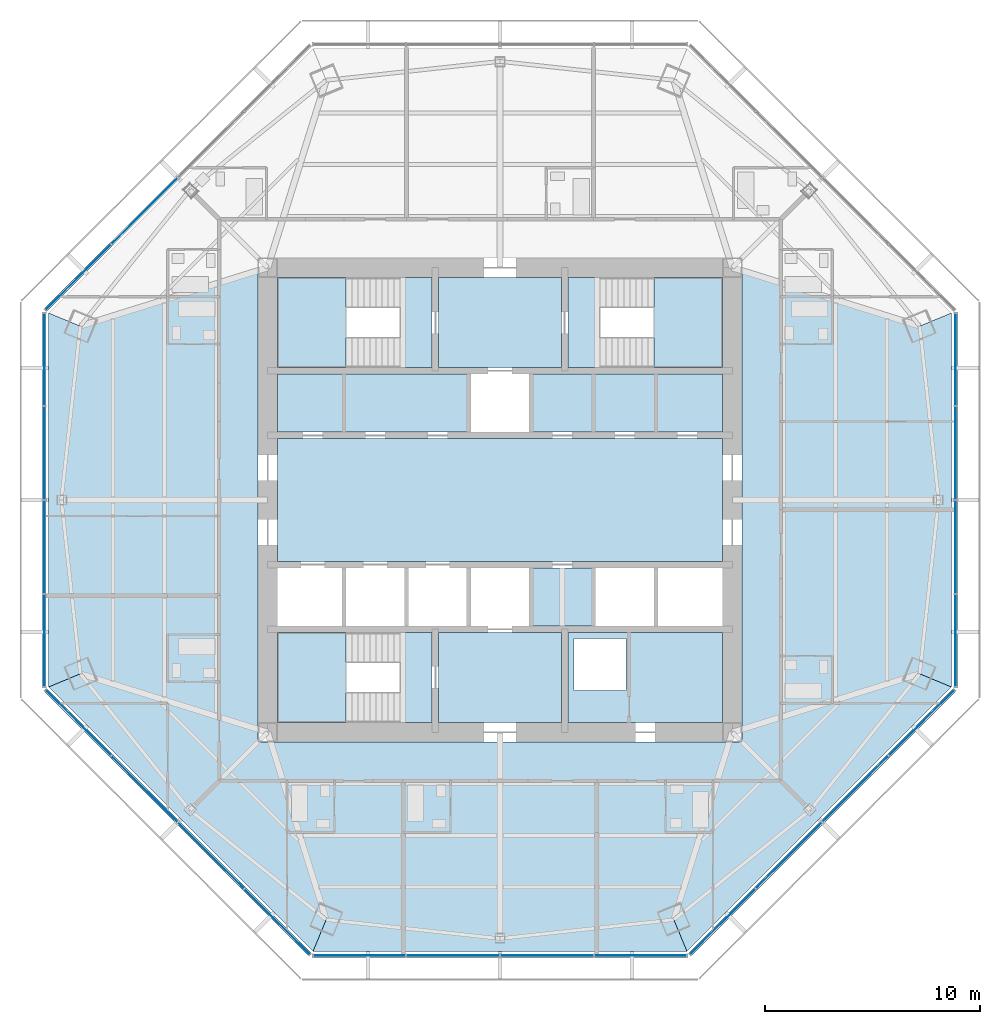
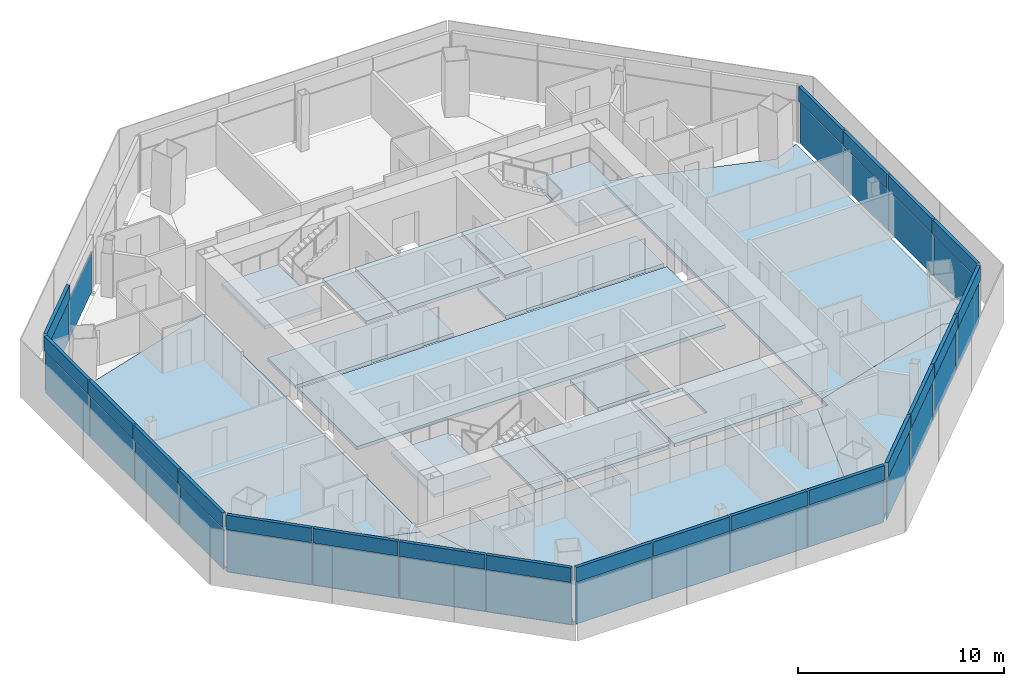
# One storey, part 7 of 14: 43 plates, 18 slabs, 9 elements without a shape of their own.
"""IFC4 building model written with IfcOpenShell, lengths in metres."""

from ifc_helpers import new_model, si_unit, direction, frame, origin, origin_2d, place, context, subcontext, project, spatial, polyline, rectangle, outline, extrude, source, transform, mapped, material, layer, layer_set, type_object, type_shapes, element, aggregate, save


model = new_model("IFC4")

# Units and contexts
model_context = context("Model", 3, precision=1e-05, world=origin(), true_north=direction((0.0, 1.0)))
body_context = subcontext(model_context, "Body", "Model", "MODEL_VIEW")
ifc_project = project(units=[si_unit("LENGTHUNIT", "METRE"), si_unit("AREAUNIT", "SQUARE_METRE"), si_unit("VOLUMEUNIT", "CUBIC_METRE"), si_unit("PLANEANGLEUNIT", "RADIAN"), si_unit("MASSUNIT", "GRAM", prefix="KILO")], contexts=[model_context])

# Site, building, storey
site_placement = place(None, origin())
site = spatial("IfcSite", under=ifc_project, at=site_placement, CompositionType="ELEMENT")
building_placement = place(site_placement, origin())
building = spatial("IfcBuilding", under=site, at=building_placement, Name="Mashrafa Tower", CompositionType="ELEMENT")
storey_placement = place(building_placement, frame((0.0, 0.0, 241.39990234375)))
storey = spatial("IfcBuildingStorey", under=building, at=storey_placement, Name="L57", CompositionType="ELEMENT", Elevation=241.39990234375)

# Slabs
ifc_material_1 = material(Name="Concrete C35/45", Category="concrete")
ifc_layer_1 = layer(ifc_material_1, 0.199951171875)
ifc_layer_set_1 = layer_set([ifc_layer_1], Name="Floor slab 200")
slab_type_1 = type_object("IfcSlabType", Name="Floor slab 200", PredefinedType="FLOOR", material=ifc_layer_set_1)
slab_1_placement = place(storey_placement, frame((0.0, 0.0, -0.199951171875)))
element("IfcSlab", 1, at=slab_1_placement, inside=storey, type_object=slab_type_1, Name="Floor slab L57 east bay", PredefinedType="FLOOR", context=body_context, shape_type="SweptSolid", body=[
    extrude(outline(polyline([(20.98583984375, 8.692626953125), (20.98583984375, -8.692626953125), (20.98583984375, -8.692626953125), (19.51318359375, -8.082763671875), (11.25, -10.65966796875), (11.25, 10.65966796875), (19.51318359375, 8.082763671875), (20.98583984375, 8.692626953125), (20.98583984375, 8.692626953125)])), origin(), (0.0, 0.0, 1.0), 0.199951171875),
])
slab_2_placement = place(storey_placement, frame((0.0, 0.0, -0.199951171875)))
element("IfcSlab", 2, at=slab_2_placement, inside=storey, type_object=slab_type_1, Name="Floor slab L57 west bay", PredefinedType="FLOOR", context=body_context, shape_type="SweptSolid", body=[
    extrude(outline(polyline([(-20.98583984375, -8.692626953125), (-20.98583984375, 8.692626953125), (-20.98583984375, 8.692626953125), (-19.51318359375, 8.082763671875), (-11.25, 10.65966796875), (-11.25, -10.65966796875), (-19.51318359375, -8.082763671875), (-20.98583984375, -8.692626953125), (-20.98583984375, -8.692626953125)])), origin(), (0.0, 0.0, 1.0), 0.199951171875),
])
slab_3_placement = place(storey_placement, frame((0.0, 0.0, -0.199951171875)))
element("IfcSlab", 3, at=slab_3_placement, inside=storey, type_object=slab_type_1, Name="Floor slab L57 south-west bay", PredefinedType="FLOOR", context=body_context, shape_type="SweptSolid", body=[
    extrude(outline(polyline([(-20.98583984375, -8.692626953125), (-19.51318359375, -8.082763671875), (-11.25, -10.65966796875), (-11.25, -11.25), (-10.65966796875, -11.25), (-8.082763671875, -19.51318359375), (-8.692626953125, -20.98583984375), (-20.98583984375, -8.692626953125)])), origin(), (0.0, 0.0, 1.0), 0.199951171875),
])
slab_4_placement = place(storey_placement, frame((0.0, 0.0, -0.199951171875)))
element("IfcSlab", 4, at=slab_4_placement, inside=storey, type_object=slab_type_1, Name="Floor slab L57 south bay", PredefinedType="FLOOR", context=body_context, shape_type="SweptSolid", body=[
    extrude(outline(polyline([(-8.692626953125, -20.98583984375), (-8.692626953125, -20.98583984375), (-8.082763671875, -19.51318359375), (-10.65966796875, -11.25), (10.65966796875, -11.25), (8.082763671875, -19.51318359375), (8.692626953125, -20.98583984375), (8.692626953125, -20.98583984375), (-8.692626953125, -20.98583984375)])), origin(), (0.0, 0.0, 1.0), 0.199951171875),
])
slab_5_placement = place(storey_placement, frame((0.0, 0.0, -0.199951171875)))
element("IfcSlab", 5, at=slab_5_placement, inside=storey, type_object=slab_type_1, Name="Floor slab L57 south-east bay", PredefinedType="FLOOR", context=body_context, shape_type="SweptSolid", body=[
    extrude(outline(polyline([(8.692626953125, -20.98583984375), (8.082763671875, -19.51318359375), (10.65966796875, -11.25), (11.25, -11.25), (11.25, -10.65966796875), (19.51318359375, -8.082763671875), (20.98583984375, -8.692626953125), (8.692626953125, -20.98583984375)])), origin(), (0.0, 0.0, 1.0), 0.199951171875),
])
slab_6_placement = place(storey_placement, frame((0.0, 0.0, -0.199951171875)))
element("IfcSlab", 6, at=slab_6_placement, inside=storey, type_object=slab_type_1, Name="Core floor lift hall L57", PredefinedType="FLOOR", context=body_context, shape_type="SweptSolid", body=[
    extrude(outline(polyline([(-10.35009765625, 2.85009765625), (10.35009765625, 2.85009765625), (10.35009765625, -2.85009765625), (-10.35009765625, -2.85009765625), (-10.35009765625, 2.85009765625)])), origin(), (0.0, 0.0, 1.0), 0.199951171875),
])
slab_7_placement = place(storey_placement, frame((0.0, 0.0, -0.199951171875)))
element("IfcSlab", 7, at=slab_7_placement, inside=storey, type_object=slab_type_1, Name="Core floor riser and electrical band L57", PredefinedType="FLOOR", context=body_context, shape_type="SweptSolid", body=[
    extrude(outline(polyline([(10.35009765625, -6.14990234375), (10.35009765625, -10.35009765625), (3.14990234375, -10.35009765625), (3.14990234375, -6.14990234375), (10.35009765625, -6.14990234375)]), holes=[polyline([(3.449951171875, -8.85009765625), (5.85009765625, -8.85009765625), (5.85009765625, -6.449951171875), (3.449951171875, -6.449951171875), (3.449951171875, -8.85009765625)])]), origin(), (0.0, 0.0, 1.0), 0.199951171875),
])
slab_8_placement = place(storey_placement, frame((0.0, 0.0, -0.199951171875)))
element("IfcSlab", 8, at=slab_8_placement, inside=storey, type_object=slab_type_1, Name="Core floor lift cell L57", PredefinedType="FLOOR", context=body_context, shape_type="SweptSolid", body=[
    extrude(outline(polyline([(-10.35009765625, 5.85009765625), (-1.449951171875, 5.85009765625), (-1.449951171875, 3.14990234375), (-10.35009765625, 3.14990234375), (-10.35009765625, 5.85009765625)])), origin(), (0.0, 0.0, 1.0), 0.199951171875),
])
slab_9_placement = place(storey_placement, frame((0.0, 0.0, -0.199951171875)))
element("IfcSlab", 9, at=slab_9_placement, inside=storey, type_object=slab_type_1, Name="Core floor lift cell L57", PredefinedType="FLOOR", context=body_context, shape_type="SweptSolid", body=[
    extrude(outline(polyline([(1.449951171875, 5.85009765625), (10.35009765625, 5.85009765625), (10.35009765625, 3.14990234375), (1.449951171875, 3.14990234375), (1.449951171875, 5.85009765625)])), origin(), (0.0, 0.0, 1.0), 0.199951171875),
])
slab_10_placement = place(storey_placement, frame((0.0, 0.0, -0.199951171875)))
element("IfcSlab", 10, at=slab_10_placement, inside=storey, type_object=slab_type_1, Name="Core floor fire-fighting lobby south L57", PredefinedType="FLOOR", context=body_context, shape_type="SweptSolid", body=[
    extrude(outline(polyline([(2.85009765625, -6.14990234375), (2.85009765625, -10.35009765625), (-2.85009765625, -10.35009765625), (-2.85009765625, -6.14990234375), (2.85009765625, -6.14990234375)])), origin(), (0.0, 0.0, 1.0), 0.199951171875),
])
slab_11_placement = place(storey_placement, frame((0.0, 0.0, -0.199951171875)))
element("IfcSlab", 11, at=slab_11_placement, inside=storey, type_object=slab_type_1, Name="Core floor fire-fighting lobby north L57", PredefinedType="FLOOR", context=body_context, shape_type="SweptSolid", body=[
    extrude(outline(polyline([(-2.85009765625, 10.35009765625), (2.85009765625, 10.35009765625), (2.85009765625, 6.14990234375), (-2.85009765625, 6.14990234375), (-2.85009765625, 10.35009765625)])), origin(), (0.0, 0.0, 1.0), 0.199951171875),
])
slab_12_placement = place(storey_placement, frame((0.0, 0.0, -0.199951171875)))
element("IfcSlab", 12, at=slab_12_placement, inside=storey, type_object=slab_type_1, Name="Core floor lift cell L57", PredefinedType="FLOOR", context=body_context, shape_type="SweptSolid", body=[
    extrude(outline(polyline([(4.35009765625, -3.14990234375), (4.35009765625, -5.85009765625), (1.449951171875, -5.85009765625), (1.449951171875, -3.14990234375), (4.35009765625, -3.14990234375)])), origin(), (0.0, 0.0, 1.0), 0.199951171875),
])

# Stair, slabs
ifc_material_2 = material(Name="Exit stair 1400")
stair_type = type_object("IfcStairType", Name="Exit stair 1400", PredefinedType="HALF_TURN_STAIR", material=ifc_material_2)
stair_1_placement = place(storey_placement, origin())
stair_1 = element("IfcStair", 13, at=stair_1_placement, inside=storey, type_object=stair_type, Name="Stair S1 L57", PredefinedType="HALF_TURN_STAIR")
ifc_material_3 = material(Name="Concrete C32/40", Category="concrete")
ifc_layer_2 = layer(ifc_material_3, 0.199951171875)
ifc_layer_set_2 = layer_set([ifc_layer_2], Name="Stair landing 200")
slab_type_2 = type_object("IfcSlabType", Name="Stair landing 200", PredefinedType="LANDING", material=ifc_layer_set_2)
slab_13_placement = place(storey_placement, frame((0.0, 0.0, -0.199951171875)))
slab_13 = element("IfcSlab", 14, at=slab_13_placement, type_object=slab_type_2, Name="S1 landing 1", PredefinedType="LANDING", context=body_context, shape_type="SweptSolid", body=[
    extrude(outline(polyline([(-4.659912109375, 6.14990234375), (-3.14990234375, 6.14990234375), (-3.14990234375, 10.35009765625), (-4.659912109375, 10.35009765625), (-4.659912109375, 6.14990234375)])), origin(), (0.0, 0.0, 1.0), 0.199951171875),
])
slab_14_placement = place(storey_placement, frame((0.0, 0.0, 1.5)))
slab_14 = element("IfcSlab", 15, at=slab_14_placement, type_object=slab_type_2, Name="S1 landing 2", PredefinedType="LANDING", context=body_context, shape_type="SweptSolid", body=[
    extrude(outline(polyline([(-10.35009765625, 6.14990234375), (-7.159912109375, 6.14990234375), (-7.159912109375, 10.35009765625), (-10.35009765625, 10.35009765625), (-10.35009765625, 6.14990234375)])), origin(), (0.0, 0.0, 1.0), 0.2001953125),
])
aggregate(stair_1, [slab_13, slab_14])

stair_2_placement = place(storey_placement, origin())
stair_2 = element("IfcStair", 16, at=stair_2_placement, inside=storey, type_object=stair_type, Name="Stair S2 L57", PredefinedType="HALF_TURN_STAIR")
slab_15_placement = place(storey_placement, frame((0.0, 0.0, -0.199951171875)))
slab_15 = element("IfcSlab", 17, at=slab_15_placement, type_object=slab_type_2, Name="S2 landing 1", PredefinedType="LANDING", context=body_context, shape_type="SweptSolid", body=[
    extrude(outline(polyline([(3.14990234375, 6.14990234375), (4.659912109375, 6.14990234375), (4.659912109375, 10.35009765625), (3.14990234375, 10.35009765625), (3.14990234375, 6.14990234375)])), origin(), (0.0, 0.0, 1.0), 0.199951171875),
])
slab_16_placement = place(storey_placement, frame((0.0, 0.0, 1.5)))
slab_16 = element("IfcSlab", 18, at=slab_16_placement, type_object=slab_type_2, Name="S2 landing 2", PredefinedType="LANDING", context=body_context, shape_type="SweptSolid", body=[
    extrude(outline(polyline([(7.159912109375, 6.14990234375), (10.35009765625, 6.14990234375), (10.35009765625, 10.35009765625), (7.159912109375, 10.35009765625), (7.159912109375, 6.14990234375)])), origin(), (0.0, 0.0, 1.0), 0.2001953125),
])
aggregate(stair_2, [slab_15, slab_16])

stair_3_placement = place(storey_placement, origin())
stair_3 = element("IfcStair", 19, at=stair_3_placement, inside=storey, type_object=stair_type, Name="Stair S3 L57", PredefinedType="HALF_TURN_STAIR")
slab_17_placement = place(storey_placement, frame((0.0, 0.0, -0.199951171875)))
slab_17 = element("IfcSlab", 20, at=slab_17_placement, type_object=slab_type_2, Name="S3 landing 1", PredefinedType="LANDING", context=body_context, shape_type="SweptSolid", body=[
    extrude(outline(polyline([(-4.659912109375, -10.35009765625), (-3.14990234375, -10.35009765625), (-3.14990234375, -6.14990234375), (-4.659912109375, -6.14990234375), (-4.659912109375, -10.35009765625)])), origin(), (0.0, 0.0, 1.0), 0.199951171875),
])
slab_18_placement = place(storey_placement, frame((0.0, 0.0, 1.5)))
slab_18 = element("IfcSlab", 21, at=slab_18_placement, type_object=slab_type_2, Name="S3 landing 2", PredefinedType="LANDING", context=body_context, shape_type="SweptSolid", body=[
    extrude(outline(polyline([(-10.35009765625, -10.35009765625), (-7.159912109375, -10.35009765625), (-7.159912109375, -6.14990234375), (-10.35009765625, -6.14990234375), (-10.35009765625, -10.35009765625)])), origin(), (0.0, 0.0, 1.0), 0.2001953125),
])
aggregate(stair_3, [slab_17, slab_18])

# Curtain wall, plates
ifc_material_4 = material(Name="Unitised aluminium curtain wall", Category="aluminium")
curtain_wall_type = type_object("IfcCurtainWallType", Name="Apartment curtain wall, zone 3 CW-C 180 deep", PredefinedType="NOTDEFINED", material=ifc_material_4)
curtain_wall_1_placement = place(storey_placement, origin())
curtain_wall_1 = element("IfcCurtainWall", 22, at=curtain_wall_1_placement, inside=storey, type_object=curtain_wall_type, Name="Apartment curtain wall, zone 3 L57 east", PredefinedType="NOTDEFINED")
ifc_material_5 = material(Name="Insulated double glazing, acoustic", Category="glass")
ifc_layer_3 = layer(ifc_material_5, 0.028076171875)
ifc_layer_set_3 = layer_set([ifc_layer_3], Name="Vision panel CW-C 28")
plate_type_1 = type_object("IfcPlateType", Name="Vision panel CW-C 28", PredefinedType="CURTAIN_PANEL", material=ifc_layer_set_3)
shared_shape_1 = source(origin(), body_context, "Body", "SweptSolid", [
    extrude(rectangle(XDim=4.274169921875, YDim=0.028076171875, at=origin_2d()), origin(), (0.0, 0.0, 1.0), 2.46240234375),
])
plate_1_placement = place(storey_placement, frame((21.185791015625, -6.53125, 0.000244140625), z_axis=(0.0, 0.0, 1.0), x_axis=(0.0, 1.0, 0.0)))
plate_1 = element("IfcPlate", 23, at=plate_1_placement, type_object=plate_type_1, Name="CW-C vision panel 1", PredefinedType="CURTAIN_PANEL", context=body_context, shape_type="MappedRepresentation", body=[
    mapped(shared_shape_1, transform((0.0, 0.0, 0.0))),
])
plate_2_placement = place(storey_placement, frame((21.185791015625, 6.53125, 0.000244140625), z_axis=(0.0, 0.0, 1.0), x_axis=(0.0, 1.0, 0.0)))
plate_2 = element("IfcPlate", 24, at=plate_2_placement, type_object=plate_type_1, Name="CW-C vision panel 4", PredefinedType="CURTAIN_PANEL", context=body_context, shape_type="MappedRepresentation", body=[
    mapped(shared_shape_1, transform((0.0, 0.0, 0.0))),
])

# Curtain wall, plate
curtain_wall_2_placement = place(storey_placement, origin())
curtain_wall_2 = element("IfcCurtainWall", 25, at=curtain_wall_2_placement, inside=storey, type_object=curtain_wall_type, Name="Apartment curtain wall, zone 3 L57 north-west", PredefinedType="NOTDEFINED")
plate_3_placement = place(storey_placement, frame((-19.598876953125, 10.362548828125, 0.000244140625), z_axis=(0.0, 0.0, 1.0), x_axis=(-0.707106781187, -0.707106781187, 0.0)))
plate_3 = element("IfcPlate", 26, at=plate_3_placement, type_object=plate_type_1, Name="CW-C vision panel 4", PredefinedType="CURTAIN_PANEL", context=body_context, shape_type="MappedRepresentation", body=[
    mapped(shared_shape_1, transform((0.0, 0.0, 0.0))),
])

# Curtain wall, plates
curtain_wall_3_placement = place(storey_placement, origin())
curtain_wall_3 = element("IfcCurtainWall", 27, at=curtain_wall_3_placement, inside=storey, type_object=curtain_wall_type, Name="Apartment curtain wall, zone 3 L57 west", PredefinedType="NOTDEFINED")
plate_4_placement = place(storey_placement, frame((-21.185791015625, 6.53125, 0.000244140625), z_axis=(0.0, 0.0, 1.0), x_axis=(0.0, -1.0, 0.0)))
plate_4 = element("IfcPlate", 28, at=plate_4_placement, type_object=plate_type_1, Name="CW-C vision panel 1", PredefinedType="CURTAIN_PANEL", context=body_context, shape_type="MappedRepresentation", body=[
    mapped(shared_shape_1, transform((0.0, 0.0, 0.0))),
])
plate_5_placement = place(storey_placement, frame((-21.185791015625, -6.53125, 0.000244140625), z_axis=(0.0, 0.0, 1.0), x_axis=(0.0, -1.0, 0.0)))
plate_5 = element("IfcPlate", 29, at=plate_5_placement, type_object=plate_type_1, Name="CW-C vision panel 4", PredefinedType="CURTAIN_PANEL", context=body_context, shape_type="MappedRepresentation", body=[
    mapped(shared_shape_1, transform((0.0, 0.0, 0.0))),
])

curtain_wall_4_placement = place(storey_placement, origin())
curtain_wall_4 = element("IfcCurtainWall", 30, at=curtain_wall_4_placement, inside=storey, type_object=curtain_wall_type, Name="Apartment curtain wall, zone 3 L57 south-west", PredefinedType="NOTDEFINED")
plate_6_placement = place(storey_placement, frame((-19.598876953125, -10.362548828125, 0.000244140625), z_axis=(0.0, 0.0, 1.0), x_axis=(0.707106781187, -0.707106781187, 0.0)))
plate_6 = element("IfcPlate", 31, at=plate_6_placement, type_object=plate_type_1, Name="CW-C vision panel 1", PredefinedType="CURTAIN_PANEL", context=body_context, shape_type="MappedRepresentation", body=[
    mapped(shared_shape_1, transform((0.0, 0.0, 0.0))),
])
plate_7_placement = place(storey_placement, frame((-10.362548828125, -19.598876953125, 0.000244140625), z_axis=(0.0, 0.0, 1.0), x_axis=(0.707106781187, -0.707106781187, 0.0)))
plate_7 = element("IfcPlate", 32, at=plate_7_placement, type_object=plate_type_1, Name="CW-C vision panel 4", PredefinedType="CURTAIN_PANEL", context=body_context, shape_type="MappedRepresentation", body=[
    mapped(shared_shape_1, transform((0.0, 0.0, 0.0))),
])

curtain_wall_5_placement = place(storey_placement, origin())
curtain_wall_5 = element("IfcCurtainWall", 33, at=curtain_wall_5_placement, inside=storey, type_object=curtain_wall_type, Name="Apartment curtain wall, zone 3 L57 south", PredefinedType="NOTDEFINED")
plate_8_placement = place(storey_placement, frame((-6.53125, -21.185791015625, 0.000244140625), z_axis=(0.0, 0.0, 1.0), x_axis=(1.0, 0.0, 0.0)))
plate_8 = element("IfcPlate", 34, at=plate_8_placement, type_object=plate_type_1, Name="CW-C vision panel 1", PredefinedType="CURTAIN_PANEL", context=body_context, shape_type="MappedRepresentation", body=[
    mapped(shared_shape_1, transform((0.0, 0.0, 0.0))),
])
plate_9_placement = place(storey_placement, frame((6.53125, -21.185791015625, 0.000244140625), z_axis=(0.0, 0.0, 1.0), x_axis=(1.0, 0.0, 0.0)))
plate_9 = element("IfcPlate", 35, at=plate_9_placement, type_object=plate_type_1, Name="CW-C vision panel 4", PredefinedType="CURTAIN_PANEL", context=body_context, shape_type="MappedRepresentation", body=[
    mapped(shared_shape_1, transform((0.0, 0.0, 0.0))),
])

curtain_wall_6_placement = place(storey_placement, origin())
curtain_wall_6 = element("IfcCurtainWall", 36, at=curtain_wall_6_placement, inside=storey, type_object=curtain_wall_type, Name="Apartment curtain wall, zone 3 L57 south-east", PredefinedType="NOTDEFINED")
plate_10_placement = place(storey_placement, frame((10.362548828125, -19.598876953125, 0.000244140625), z_axis=(0.0, 0.0, 1.0), x_axis=(0.707106781187, 0.707106781187, 0.0)))
plate_10 = element("IfcPlate", 37, at=plate_10_placement, type_object=plate_type_1, Name="CW-C vision panel 1", PredefinedType="CURTAIN_PANEL", context=body_context, shape_type="MappedRepresentation", body=[
    mapped(shared_shape_1, transform((0.0, 0.0, 0.0))),
])
plate_11_placement = place(storey_placement, frame((19.598876953125, -10.362548828125, 0.000244140625), z_axis=(0.0, 0.0, 1.0), x_axis=(0.707106781187, 0.707106781187, 0.0)))
plate_11 = element("IfcPlate", 38, at=plate_11_placement, type_object=plate_type_1, Name="CW-C vision panel 4", PredefinedType="CURTAIN_PANEL", context=body_context, shape_type="MappedRepresentation", body=[
    mapped(shared_shape_1, transform((0.0, 0.0, 0.0))),
])

# Plate
ifc_material_6 = material(Name="Insulated bronze aluminium spandrel panel", Category="aluminium")
ifc_layer_4 = layer(ifc_material_6, 0.179931640625)
ifc_layer_set_4 = layer_set([ifc_layer_4], Name="Spandrel panel CW-C 180")
plate_type_2 = type_object("IfcPlateType", Name="Spandrel panel CW-C 180", PredefinedType="CURTAIN_PANEL", material=ifc_layer_set_4)
shared_shape_2 = source(origin(), body_context, "Body", "SweptSolid", [
    extrude(rectangle(XDim=4.274169921875, YDim=0.179931640625, at=origin_2d()), origin(), (0.0, 0.0, 1.0), 0.862548828125),
])
plate_12_placement = place(storey_placement, frame((21.185791015625, -6.53125, 2.53759765625), z_axis=(0.0, 0.0, 1.0), x_axis=(0.0, 1.0, 0.0)))
plate_12 = element("IfcPlate", 39, at=plate_12_placement, type_object=plate_type_2, Name="CW-C spandrel panel 1", PredefinedType="CURTAIN_PANEL", context=body_context, shape_type="MappedRepresentation", body=[
    mapped(shared_shape_2, transform((0.0, 0.0, 0.0))),
])

plate_13_placement = place(storey_placement, frame((21.185791015625, 6.53125, 2.53759765625), z_axis=(0.0, 0.0, 1.0), x_axis=(0.0, 1.0, 0.0)))
plate_13 = element("IfcPlate", 40, at=plate_13_placement, type_object=plate_type_2, Name="CW-C spandrel panel 4", PredefinedType="CURTAIN_PANEL", context=body_context, shape_type="MappedRepresentation", body=[
    mapped(shared_shape_2, transform((0.0, 0.0, 0.0))),
])

plate_14_placement = place(storey_placement, frame((-19.598876953125, 10.362548828125, 2.53759765625), z_axis=(0.0, 0.0, 1.0), x_axis=(-0.707106781187, -0.707106781187, 0.0)))
plate_14 = element("IfcPlate", 41, at=plate_14_placement, type_object=plate_type_2, Name="CW-C spandrel panel 4", PredefinedType="CURTAIN_PANEL", context=body_context, shape_type="MappedRepresentation", body=[
    mapped(shared_shape_2, transform((0.0, 0.0, 0.0))),
])

plate_15_placement = place(storey_placement, frame((-21.185791015625, 6.53125, 2.53759765625), z_axis=(0.0, 0.0, 1.0), x_axis=(0.0, -1.0, 0.0)))
plate_15 = element("IfcPlate", 42, at=plate_15_placement, type_object=plate_type_2, Name="CW-C spandrel panel 1", PredefinedType="CURTAIN_PANEL", context=body_context, shape_type="MappedRepresentation", body=[
    mapped(shared_shape_2, transform((0.0, 0.0, 0.0))),
])

plate_16_placement = place(storey_placement, frame((-21.185791015625, -6.53125, 2.53759765625), z_axis=(0.0, 0.0, 1.0), x_axis=(0.0, -1.0, 0.0)))
plate_16 = element("IfcPlate", 43, at=plate_16_placement, type_object=plate_type_2, Name="CW-C spandrel panel 4", PredefinedType="CURTAIN_PANEL", context=body_context, shape_type="MappedRepresentation", body=[
    mapped(shared_shape_2, transform((0.0, 0.0, 0.0))),
])

plate_17_placement = place(storey_placement, frame((-19.598876953125, -10.362548828125, 2.53759765625), z_axis=(0.0, 0.0, 1.0), x_axis=(0.707106781187, -0.707106781187, 0.0)))
plate_17 = element("IfcPlate", 44, at=plate_17_placement, type_object=plate_type_2, Name="CW-C spandrel panel 1", PredefinedType="CURTAIN_PANEL", context=body_context, shape_type="MappedRepresentation", body=[
    mapped(shared_shape_2, transform((0.0, 0.0, 0.0))),
])

plate_18_placement = place(storey_placement, frame((-10.362548828125, -19.598876953125, 2.53759765625), z_axis=(0.0, 0.0, 1.0), x_axis=(0.707106781187, -0.707106781187, 0.0)))
plate_18 = element("IfcPlate", 45, at=plate_18_placement, type_object=plate_type_2, Name="CW-C spandrel panel 4", PredefinedType="CURTAIN_PANEL", context=body_context, shape_type="MappedRepresentation", body=[
    mapped(shared_shape_2, transform((0.0, 0.0, 0.0))),
])

plate_19_placement = place(storey_placement, frame((-6.53125, -21.185791015625, 2.53759765625), z_axis=(0.0, 0.0, 1.0), x_axis=(1.0, 0.0, 0.0)))
plate_19 = element("IfcPlate", 46, at=plate_19_placement, type_object=plate_type_2, Name="CW-C spandrel panel 1", PredefinedType="CURTAIN_PANEL", context=body_context, shape_type="MappedRepresentation", body=[
    mapped(shared_shape_2, transform((0.0, 0.0, 0.0))),
])

plate_20_placement = place(storey_placement, frame((6.53125, -21.185791015625, 2.53759765625), z_axis=(0.0, 0.0, 1.0), x_axis=(1.0, 0.0, 0.0)))
plate_20 = element("IfcPlate", 47, at=plate_20_placement, type_object=plate_type_2, Name="CW-C spandrel panel 4", PredefinedType="CURTAIN_PANEL", context=body_context, shape_type="MappedRepresentation", body=[
    mapped(shared_shape_2, transform((0.0, 0.0, 0.0))),
])

plate_21_placement = place(storey_placement, frame((10.362548828125, -19.598876953125, 2.53759765625), z_axis=(0.0, 0.0, 1.0), x_axis=(0.707106781187, 0.707106781187, 0.0)))
plate_21 = element("IfcPlate", 48, at=plate_21_placement, type_object=plate_type_2, Name="CW-C spandrel panel 1", PredefinedType="CURTAIN_PANEL", context=body_context, shape_type="MappedRepresentation", body=[
    mapped(shared_shape_2, transform((0.0, 0.0, 0.0))),
])

plate_22_placement = place(storey_placement, frame((19.598876953125, -10.362548828125, 2.53759765625), z_axis=(0.0, 0.0, 1.0), x_axis=(0.707106781187, 0.707106781187, 0.0)))
plate_22 = element("IfcPlate", 49, at=plate_22_placement, type_object=plate_type_2, Name="CW-C spandrel panel 4", PredefinedType="CURTAIN_PANEL", context=body_context, shape_type="MappedRepresentation", body=[
    mapped(shared_shape_2, transform((0.0, 0.0, 0.0))),
])

shared_shape_3 = source(origin(), body_context, "Body", "SweptSolid", [
    extrude(rectangle(XDim=4.30419921875, YDim=0.028076171875, at=origin_2d()), origin(), (0.0, 0.0, 1.0), 2.46240234375),
])
type_shapes(plate_type_1, [shared_shape_1, shared_shape_3])
plate_23_placement = place(storey_placement, frame((21.185791015625, -2.18212890625, 0.000244140625), z_axis=(0.0, 0.0, 1.0), x_axis=(0.0, 1.0, 0.0)))
plate_23 = element("IfcPlate", 50, at=plate_23_placement, type_object=plate_type_1, Name="CW-C vision panel 2", PredefinedType="CURTAIN_PANEL", context=body_context, shape_type="MappedRepresentation", body=[
    mapped(shared_shape_3, transform((0.0, 0.0, 0.0))),
])

plate_24_placement = place(storey_placement, frame((21.185791015625, 2.18212890625, 0.000244140625), z_axis=(0.0, 0.0, 1.0), x_axis=(0.0, 1.0, 0.0)))
plate_24 = element("IfcPlate", 51, at=plate_24_placement, type_object=plate_type_1, Name="CW-C vision panel 3", PredefinedType="CURTAIN_PANEL", context=body_context, shape_type="MappedRepresentation", body=[
    mapped(shared_shape_3, transform((0.0, 0.0, 0.0))),
])

plate_25_placement = place(storey_placement, frame((-16.523681640625, 13.437744140625, 0.000244140625), z_axis=(0.0, 0.0, 1.0), x_axis=(-0.707106781187, -0.707106781187, 0.0)))
plate_25 = element("IfcPlate", 52, at=plate_25_placement, type_object=plate_type_1, Name="CW-C vision panel 3", PredefinedType="CURTAIN_PANEL", context=body_context, shape_type="MappedRepresentation", body=[
    mapped(shared_shape_3, transform((0.0, 0.0, 0.0))),
])

aggregate(curtain_wall_2, [plate_25, plate_3, plate_14])

plate_26_placement = place(storey_placement, frame((-21.185791015625, 2.18212890625, 0.000244140625), z_axis=(0.0, 0.0, 1.0), x_axis=(0.0, -1.0, 0.0)))
plate_26 = element("IfcPlate", 53, at=plate_26_placement, type_object=plate_type_1, Name="CW-C vision panel 2", PredefinedType="CURTAIN_PANEL", context=body_context, shape_type="MappedRepresentation", body=[
    mapped(shared_shape_3, transform((0.0, 0.0, 0.0))),
])

plate_27_placement = place(storey_placement, frame((-21.185791015625, -2.18212890625, 0.000244140625), z_axis=(0.0, 0.0, 1.0), x_axis=(0.0, -1.0, 0.0)))
plate_27 = element("IfcPlate", 54, at=plate_27_placement, type_object=plate_type_1, Name="CW-C vision panel 3", PredefinedType="CURTAIN_PANEL", context=body_context, shape_type="MappedRepresentation", body=[
    mapped(shared_shape_3, transform((0.0, 0.0, 0.0))),
])

plate_28_placement = place(storey_placement, frame((-16.523681640625, -13.437744140625, 0.000244140625), z_axis=(0.0, 0.0, 1.0), x_axis=(0.707106781187, -0.707106781187, 0.0)))
plate_28 = element("IfcPlate", 55, at=plate_28_placement, type_object=plate_type_1, Name="CW-C vision panel 2", PredefinedType="CURTAIN_PANEL", context=body_context, shape_type="MappedRepresentation", body=[
    mapped(shared_shape_3, transform((0.0, 0.0, 0.0))),
])

plate_29_placement = place(storey_placement, frame((-13.437744140625, -16.523681640625, 0.000244140625), z_axis=(0.0, 0.0, 1.0), x_axis=(0.707106781187, -0.707106781187, 0.0)))
plate_29 = element("IfcPlate", 56, at=plate_29_placement, type_object=plate_type_1, Name="CW-C vision panel 3", PredefinedType="CURTAIN_PANEL", context=body_context, shape_type="MappedRepresentation", body=[
    mapped(shared_shape_3, transform((0.0, 0.0, 0.0))),
])

plate_30_placement = place(storey_placement, frame((-2.18212890625, -21.185791015625, 0.000244140625), z_axis=(0.0, 0.0, 1.0), x_axis=(1.0, 0.0, 0.0)))
plate_30 = element("IfcPlate", 57, at=plate_30_placement, type_object=plate_type_1, Name="CW-C vision panel 2", PredefinedType="CURTAIN_PANEL", context=body_context, shape_type="MappedRepresentation", body=[
    mapped(shared_shape_3, transform((0.0, 0.0, 0.0))),
])

plate_31_placement = place(storey_placement, frame((2.18212890625, -21.185791015625, 0.000244140625), z_axis=(0.0, 0.0, 1.0), x_axis=(1.0, 0.0, 0.0)))
plate_31 = element("IfcPlate", 58, at=plate_31_placement, type_object=plate_type_1, Name="CW-C vision panel 3", PredefinedType="CURTAIN_PANEL", context=body_context, shape_type="MappedRepresentation", body=[
    mapped(shared_shape_3, transform((0.0, 0.0, 0.0))),
])

plate_32_placement = place(storey_placement, frame((13.437744140625, -16.523681640625, 0.000244140625), z_axis=(0.0, 0.0, 1.0), x_axis=(0.707106781187, 0.707106781187, 0.0)))
plate_32 = element("IfcPlate", 59, at=plate_32_placement, type_object=plate_type_1, Name="CW-C vision panel 2", PredefinedType="CURTAIN_PANEL", context=body_context, shape_type="MappedRepresentation", body=[
    mapped(shared_shape_3, transform((0.0, 0.0, 0.0))),
])

plate_33_placement = place(storey_placement, frame((16.523681640625, -13.437744140625, 0.000244140625), z_axis=(0.0, 0.0, 1.0), x_axis=(0.707106781187, 0.707106781187, 0.0)))
plate_33 = element("IfcPlate", 60, at=plate_33_placement, type_object=plate_type_1, Name="CW-C vision panel 3", PredefinedType="CURTAIN_PANEL", context=body_context, shape_type="MappedRepresentation", body=[
    mapped(shared_shape_3, transform((0.0, 0.0, 0.0))),
])

shared_shape_4 = source(origin(), body_context, "Body", "SweptSolid", [
    extrude(rectangle(XDim=4.30419921875, YDim=0.179931640625, at=origin_2d()), origin(), (0.0, 0.0, 1.0), 0.862548828125),
])
type_shapes(plate_type_2, [shared_shape_2, shared_shape_4])
plate_34_placement = place(storey_placement, frame((21.185791015625, -2.18212890625, 2.53759765625), z_axis=(0.0, 0.0, 1.0), x_axis=(0.0, 1.0, 0.0)))
plate_34 = element("IfcPlate", 61, at=plate_34_placement, type_object=plate_type_2, Name="CW-C spandrel panel 2", PredefinedType="CURTAIN_PANEL", context=body_context, shape_type="MappedRepresentation", body=[
    mapped(shared_shape_4, transform((0.0, 0.0, 0.0))),
])

plate_35_placement = place(storey_placement, frame((21.185791015625, 2.18212890625, 2.53759765625), z_axis=(0.0, 0.0, 1.0), x_axis=(0.0, 1.0, 0.0)))
plate_35 = element("IfcPlate", 62, at=plate_35_placement, type_object=plate_type_2, Name="CW-C spandrel panel 3", PredefinedType="CURTAIN_PANEL", context=body_context, shape_type="MappedRepresentation", body=[
    mapped(shared_shape_4, transform((0.0, 0.0, 0.0))),
])

aggregate(curtain_wall_1, [plate_1, plate_12, plate_23, plate_34, plate_24, plate_35, plate_2, plate_13])

plate_36_placement = place(storey_placement, frame((-21.185791015625, 2.18212890625, 2.53759765625), z_axis=(0.0, 0.0, 1.0), x_axis=(0.0, -1.0, 0.0)))
plate_36 = element("IfcPlate", 63, at=plate_36_placement, type_object=plate_type_2, Name="CW-C spandrel panel 2", PredefinedType="CURTAIN_PANEL", context=body_context, shape_type="MappedRepresentation", body=[
    mapped(shared_shape_4, transform((0.0, 0.0, 0.0))),
])

plate_37_placement = place(storey_placement, frame((-21.185791015625, -2.18212890625, 2.53759765625), z_axis=(0.0, 0.0, 1.0), x_axis=(0.0, -1.0, 0.0)))
plate_37 = element("IfcPlate", 64, at=plate_37_placement, type_object=plate_type_2, Name="CW-C spandrel panel 3", PredefinedType="CURTAIN_PANEL", context=body_context, shape_type="MappedRepresentation", body=[
    mapped(shared_shape_4, transform((0.0, 0.0, 0.0))),
])

aggregate(curtain_wall_3, [plate_4, plate_15, plate_26, plate_36, plate_27, plate_37, plate_5, plate_16])

plate_38_placement = place(storey_placement, frame((-16.523681640625, -13.437744140625, 2.53759765625), z_axis=(0.0, 0.0, 1.0), x_axis=(0.707106781187, -0.707106781187, 0.0)))
plate_38 = element("IfcPlate", 65, at=plate_38_placement, type_object=plate_type_2, Name="CW-C spandrel panel 2", PredefinedType="CURTAIN_PANEL", context=body_context, shape_type="MappedRepresentation", body=[
    mapped(shared_shape_4, transform((0.0, 0.0, 0.0))),
])

plate_39_placement = place(storey_placement, frame((-13.437744140625, -16.523681640625, 2.53759765625), z_axis=(0.0, 0.0, 1.0), x_axis=(0.707106781187, -0.707106781187, 0.0)))
plate_39 = element("IfcPlate", 66, at=plate_39_placement, type_object=plate_type_2, Name="CW-C spandrel panel 3", PredefinedType="CURTAIN_PANEL", context=body_context, shape_type="MappedRepresentation", body=[
    mapped(shared_shape_4, transform((0.0, 0.0, 0.0))),
])

aggregate(curtain_wall_4, [plate_6, plate_17, plate_28, plate_38, plate_29, plate_39, plate_7, plate_18])

plate_40_placement = place(storey_placement, frame((-2.18212890625, -21.185791015625, 2.53759765625), z_axis=(0.0, 0.0, 1.0), x_axis=(1.0, 0.0, 0.0)))
plate_40 = element("IfcPlate", 67, at=plate_40_placement, type_object=plate_type_2, Name="CW-C spandrel panel 2", PredefinedType="CURTAIN_PANEL", context=body_context, shape_type="MappedRepresentation", body=[
    mapped(shared_shape_4, transform((0.0, 0.0, 0.0))),
])

plate_41_placement = place(storey_placement, frame((2.18212890625, -21.185791015625, 2.53759765625), z_axis=(0.0, 0.0, 1.0), x_axis=(1.0, 0.0, 0.0)))
plate_41 = element("IfcPlate", 68, at=plate_41_placement, type_object=plate_type_2, Name="CW-C spandrel panel 3", PredefinedType="CURTAIN_PANEL", context=body_context, shape_type="MappedRepresentation", body=[
    mapped(shared_shape_4, transform((0.0, 0.0, 0.0))),
])

aggregate(curtain_wall_5, [plate_8, plate_19, plate_30, plate_40, plate_31, plate_41, plate_9, plate_20])

plate_42_placement = place(storey_placement, frame((13.437744140625, -16.523681640625, 2.53759765625), z_axis=(0.0, 0.0, 1.0), x_axis=(0.707106781187, 0.707106781187, 0.0)))
plate_42 = element("IfcPlate", 69, at=plate_42_placement, type_object=plate_type_2, Name="CW-C spandrel panel 2", PredefinedType="CURTAIN_PANEL", context=body_context, shape_type="MappedRepresentation", body=[
    mapped(shared_shape_4, transform((0.0, 0.0, 0.0))),
])

plate_43_placement = place(storey_placement, frame((16.523681640625, -13.437744140625, 2.53759765625), z_axis=(0.0, 0.0, 1.0), x_axis=(0.707106781187, 0.707106781187, 0.0)))
plate_43 = element("IfcPlate", 70, at=plate_43_placement, type_object=plate_type_2, Name="CW-C spandrel panel 3", PredefinedType="CURTAIN_PANEL", context=body_context, shape_type="MappedRepresentation", body=[
    mapped(shared_shape_4, transform((0.0, 0.0, 0.0))),
])

aggregate(curtain_wall_6, [plate_10, plate_21, plate_32, plate_42, plate_33, plate_43, plate_11, plate_22])

save(model, "model.ifc")
